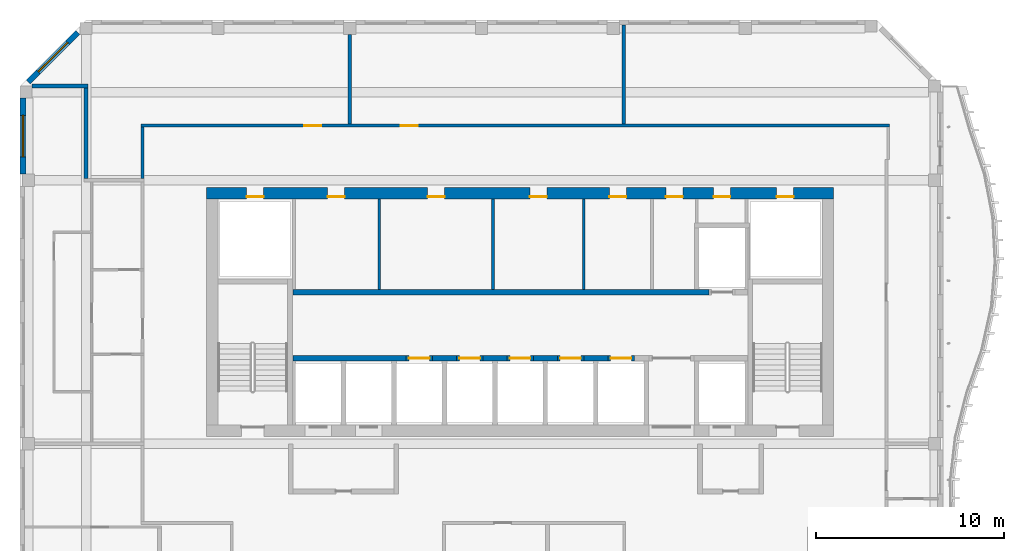
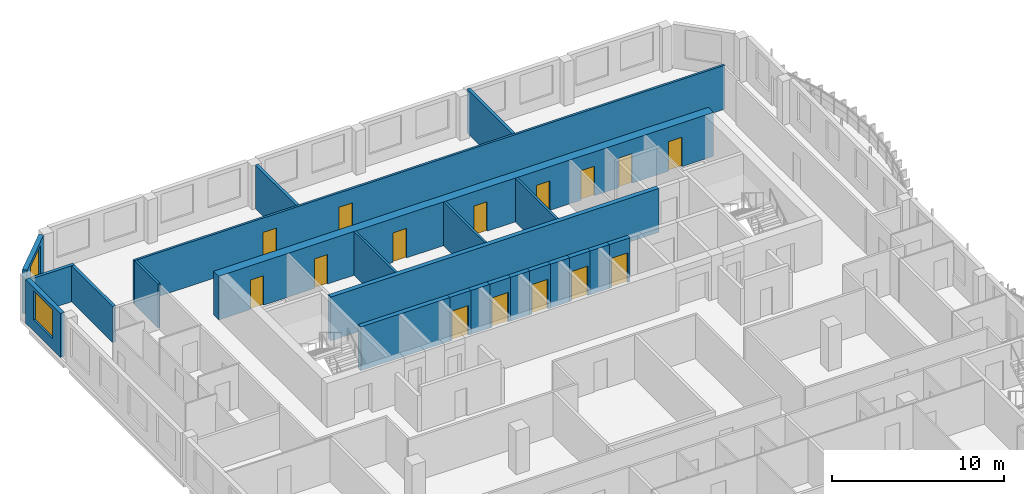
# One storey, part 7 of 17: 23 walls, 15 doors, 2 windows, 17 openings.
"""IFC4 building model written with IfcOpenShell, lengths in metres."""

from ifc_helpers import new_model, si_unit, direction, frame, frame_2d, origin, place, context, subcontext, project, spatial, rectangle, extrude, source, transform, mapped, material, layer, layer_set, type_object, element, fill, save


model = new_model("IFC4")

# Units and contexts
model_context = context("Model", 3, precision=1e-05, world=origin(), true_north=direction((0.0, 1.0)))
body_context = subcontext(model_context, "Body", "Model", "MODEL_VIEW")
ifc_project = project(units=[si_unit("LENGTHUNIT", "METRE"), si_unit("AREAUNIT", "SQUARE_METRE"), si_unit("VOLUMEUNIT", "CUBIC_METRE"), si_unit("PLANEANGLEUNIT", "RADIAN"), si_unit("MASSUNIT", "GRAM", prefix="KILO")], contexts=[model_context])

# Site, building, storey
site_placement = place(None, origin())
site = spatial("IfcSite", under=ifc_project, at=site_placement, CompositionType="ELEMENT")
building_placement = place(site_placement, origin())
building = spatial("IfcBuilding", under=site, at=building_placement, Name="Kilnfold Tower and Market Hall", CompositionType="ELEMENT")
storey_placement = place(building_placement, frame((0.0, 0.0, 273.800048828125)))
storey = spatial("IfcBuildingStorey", under=building, at=storey_placement, Name="L67", CompositionType="ELEMENT", Elevation=273.800048828125)

# Wall
ifc_material_1 = material(Name="Gypsum board on steel studs", Category="steel")
ifc_layer_1 = layer(ifc_material_1, 0.14990234375)
ifc_layer_set_1 = layer_set([ifc_layer_1], Name="Gypsum board on steel studs")
wall_type_1 = type_object("IfcWallType", Name="WALL CORRIDOR 150", PredefinedType="PARTITIONING", material=ifc_layer_set_1)
wall_1_placement = place(storey_placement, frame((-19.0, 22.090087890625, 0.0), z_axis=(0.0, 0.0, 1.0), x_axis=(0.0, 1.0, 0.0)))
element("IfcWall", 1, at=wall_1_placement, inside=storey, type_object=wall_type_1, Name="Partition LY41.22", PredefinedType="PARTITIONING", context=body_context, shape_type="SweptSolid", body=[
    extrude(rectangle(XDim=2.73486328125, YDim=0.14990234375, at=frame_2d((1.367431640625, 0.0))), origin(), (0.0, 0.0, 1.0), 3.119873046875),
])

# Wall, openings, doors
wall_2_placement = place(storey_placement, frame((-19.074951171875, 24.89990234375, 0.0), z_axis=(0.0, 0.0, 1.0), x_axis=(1.0, 0.0, 0.0)))
wall_2 = element("IfcWall", 2, at=wall_2_placement, inside=storey, type_object=wall_type_1, Name="Partition LY41.23", PredefinedType="PARTITIONING", context=body_context, shape_type="SweptSolid", body=[
    extrude(rectangle(XDim=39.75, YDim=0.14990234375, at=frame_2d((19.875, 0.0))), origin(), (0.0, 0.0, 1.0), 3.119873046875),
])
opening_1_placement = place(wall_2_placement, frame((8.674072265625, 0.0, 0.0)))
opening_1 = element("IfcOpeningElement", 3, at=opening_1_placement, cuts=wall_2, Name="Opening D2", PredefinedType="OPENING", context=body_context, shape_type="SweptSolid", body=[
    extrude(rectangle(XDim=0.89990234375, YDim=2.10009765625, at=frame_2d((0.449951171875, 1.050048828125))), frame((0.0, 0.0849609375, 0.0), z_axis=(0.0, -1.0, 0.0), x_axis=(1.0, 0.0, 0.0)), (0.0, 0.0, 1.0), 0.169921875),
])
opening_2_placement = place(wall_2_placement, frame((13.778076171875, 0.0, 0.0)))
opening_2 = element("IfcOpeningElement", 4, at=opening_2_placement, cuts=wall_2, Name="Opening D2", PredefinedType="OPENING", context=body_context, shape_type="SweptSolid", body=[
    extrude(rectangle(XDim=0.89990234375, YDim=2.10009765625, at=frame_2d((0.449951171875, 1.050048828125))), frame((0.0, 0.0849609375, 0.0), z_axis=(0.0, -1.0, 0.0), x_axis=(1.0, 0.0, 0.0)), (0.0, 0.0, 1.0), 0.169921875),
])
ifc_material_2 = material(Name="Timber veneer door leaf in steel frame", Category="steel")
door_type_1 = type_object("IfcDoorType", Name="DOOR ROOM 900 X2100", OperationType="NOTDEFINED", PredefinedType="DOOR", material=ifc_material_2)
door_1_placement = place(opening_1_placement, origin())
door_1 = element("IfcDoor", 5, at=door_1_placement, inside=storey, type_object=door_type_1, Name="Door D2", OperationType="SINGLE_SWING_RIGHT", OverallHeight=2.10009765625, OverallWidth=0.89990234375, PredefinedType="DOOR", context=body_context, shape_type="SweptSolid", body=[
    extrude(rectangle(XDim=0.89990234375, YDim=2.10009765625, at=frame_2d((0.449951171875, 1.050048828125))), frame((0.0, 0.02490234375, 0.0), z_axis=(0.0, -1.0, 0.0), x_axis=(1.0, 0.0, 0.0)), (0.0, 0.0, 1.0), 0.050048828125),
])
fill(opening_1, door_1)
door_2_placement = place(opening_2_placement, origin())
door_2 = element("IfcDoor", 6, at=door_2_placement, inside=storey, type_object=door_type_1, Name="Door D2", OperationType="SINGLE_SWING_RIGHT", OverallHeight=2.10009765625, OverallWidth=0.89990234375, PredefinedType="DOOR", context=body_context, shape_type="SweptSolid", body=[
    extrude(rectangle(XDim=0.89990234375, YDim=2.10009765625, at=frame_2d((0.449951171875, 1.050048828125))), frame((0.0, 0.02490234375, 0.0), z_axis=(0.0, -1.0, 0.0), x_axis=(1.0, 0.0, 0.0)), (0.0, 0.0, 1.0), 0.050048828125),
])
fill(opening_2, door_2)

# Walls
ifc_material_3 = material(Name="Gypsum board on steel studs", Category="steel")
ifc_layer_2 = layer(ifc_material_3, 0.199951171875)
ifc_layer_set_2 = layer_set([ifc_layer_2], Name="Gypsum board on steel studs")
wall_type_2 = type_object("IfcWallType", Name="WALL PARTY 200", PredefinedType="PARTITIONING", material=ifc_layer_set_2)
wall_3_placement = place(storey_placement, frame((6.550048828125, 24.97705078125, 0.0), z_axis=(0.0, 0.0, 1.0), x_axis=(0.0, 1.0, 0.0)))
element("IfcWall", 7, at=wall_3_placement, inside=storey, type_object=wall_type_2, Name="Partition LY41.80", PredefinedType="PARTITIONING", context=body_context, shape_type="SweptSolid", body=[
    extrude(rectangle(XDim=5.27294921875, YDim=0.199951171875, at=frame_2d((2.636474609375, 0.0))), origin(), (0.0, 0.0, 1.0), 3.119873046875),
])
wall_4_placement = place(storey_placement, frame((-8.0, 29.72509765625, 0.0), z_axis=(0.0, 0.0, 1.0), x_axis=(0.0, -1.0, 0.0)))
element("IfcWall", 8, at=wall_4_placement, inside=storey, type_object=wall_type_2, Name="Partition LY41.81", PredefinedType="PARTITIONING", context=body_context, shape_type="SweptSolid", body=[
    extrude(rectangle(XDim=4.748046875, YDim=0.199951171875, at=frame_2d((2.3740234375, 0.0))), origin(), (0.0, 0.0, 1.0), 3.119873046875),
])
wall_5_placement = place(storey_placement, frame((-22.0, 22.10009765625, 0.0), z_axis=(0.0, 0.0, 1.0), x_axis=(0.0, 1.0, 0.0)))
element("IfcWall", 9, at=wall_5_placement, inside=storey, type_object=wall_type_2, Name="Partition LY41.82", PredefinedType="PARTITIONING", context=body_context, shape_type="SweptSolid", body=[
    extrude(rectangle(XDim=4.7998046875, YDim=0.199951171875, at=frame_2d((2.39990234375, 0.0))), origin(), (0.0, 0.0, 1.0), 2.570068359375),
])
wall_6_placement = place(storey_placement, frame((-24.85693359375, 27.0, 0.0), z_axis=(0.0, 0.0, 1.0), x_axis=(1.0, 0.0, 0.0)))
element("IfcWall", 10, at=wall_6_placement, inside=storey, type_object=wall_type_2, Name="Partition LY41.83", PredefinedType="PARTITIONING", context=body_context, shape_type="SweptSolid", body=[
    extrude(rectangle(XDim=2.95703125, YDim=0.199951171875, at=frame_2d((1.478515625, 0.0))), origin(), (0.0, 0.0, 1.0), 2.570068359375),
])
ifc_material_4 = material(Name="Concrete C50", Category="concrete")
ifc_layer_3 = layer(ifc_material_4, 0.300048828125)
ifc_layer_set_3 = layer_set([ifc_layer_3], Name="Concrete C50")
wall_type_3 = type_object("IfcWallType", Name="CORE WALL 300 C50", PredefinedType="SHEAR", material=ifc_layer_set_3)
shared_shape_1 = source(origin(), body_context, "Body", "SweptSolid", [
    extrude(rectangle(XDim=6.0, YDim=0.300048828125, at=frame_2d((3.0, 0.0))), origin(), (0.0, 0.0, 1.0), 3.119873046875),
])
wall_7_placement = place(storey_placement, frame((-11.010009765625, 12.550048828125, 0.0), z_axis=(0.0, 0.0, 1.0), x_axis=(1.0, 0.0, 0.0)))
element("IfcWall", 11, at=wall_7_placement, inside=storey, type_object=wall_type_3, Name="Core spine wall", PredefinedType="SHEAR", context=body_context, shape_type="MappedRepresentation", body=[
    mapped(shared_shape_1, transform((0.0, 0.0, 0.0))),
])
shared_shape_2 = source(origin(), body_context, "Body", "SweptSolid", [
    extrude(rectangle(XDim=1.280029296875, YDim=0.300048828125, at=frame_2d((0.64013671875, 0.0))), origin(), (0.0, 0.0, 1.0), 3.119873046875),
])
for number, where, z_axis, x_axis, name in (
    (12, (-3.610107421875, 12.550048828125, 0.0), (0.0, 0.0, 1.0), (1.0, 0.0, 0.0), "Core spine wall"),
    (13, (-0.929931640625, 12.550048828125, 0.0), (0.0, 0.0, 1.0), (1.0, 0.0, 0.0), "Core spine wall"),
    (14, (1.75, 12.550048828125, 0.0), (0.0, 0.0, 1.0), (1.0, 0.0, 0.0), "Core spine wall"),
    (15, (4.429931640625, 12.550048828125, 0.0), (0.0, 0.0, 1.0), (1.0, 0.0, 0.0), "Core spine wall"),
):
    element("IfcWall", number, at=place(storey_placement, frame(where, z_axis=z_axis, x_axis=x_axis)), inside=storey, type_object=wall_type_3, Name=name, PredefinedType="SHEAR", context=body_context, shape_type="MappedRepresentation", body=[
        mapped(shared_shape_2, transform((0.0, 0.0, 0.0))),
    ])
shared_shape_3 = source(origin(), body_context, "Body", "SweptSolid", [
    extrude(rectangle(XDim=22.080078125, YDim=0.300048828125, at=frame_2d((11.0400390625, 0.0))), origin(), (0.0, 0.0, 1.0), 3.119873046875),
])
wall_8_placement = place(storey_placement, frame((-11.010009765625, 16.050048828125, 0.0), z_axis=(0.0, 0.0, 1.0), x_axis=(1.0, 0.0, 0.0)))
element("IfcWall", 16, at=wall_8_placement, inside=storey, type_object=wall_type_3, Name="Core spine wall", PredefinedType="SHEAR", context=body_context, shape_type="MappedRepresentation", body=[
    mapped(shared_shape_3, transform((0.0, 0.0, 0.0))),
])

# Wall, openings, doors
ifc_material_5 = material(Name="Concrete C50", Category="concrete")
ifc_layer_4 = layer(ifc_material_5, 0.60009765625)
ifc_layer_set_4 = layer_set([ifc_layer_4], Name="Concrete C50")
wall_type_4 = type_object("IfcWallType", Name="CORE WALL 600 C50", PredefinedType="SHEAR", material=ifc_layer_set_4)
shared_shape_4 = source(origin(), body_context, "Body", "SweptSolid", [
    extrude(rectangle(XDim=33.300048828125, YDim=0.60009765625, at=frame_2d((16.64990234375, 0.0))), origin(), (0.0, 0.0, 1.0), 3.119873046875),
])
wall_9_placement = place(storey_placement, frame((-15.60009765625, 21.300048828125, 0.0), z_axis=(0.0, 0.0, 1.0), x_axis=(1.0, 0.0, 0.0)))
wall_9 = element("IfcWall", 17, at=wall_9_placement, inside=storey, type_object=wall_type_4, Name="Core outer wall north", PredefinedType="SHEAR", context=body_context, shape_type="MappedRepresentation", body=[
    mapped(shared_shape_4, transform((0.0, 0.0, 0.0))),
])
opening_3_placement = place(wall_9_placement, frame((6.431396484375, 0.0, 0.0)))
opening_3 = element("IfcOpeningElement", 18, at=opening_3_placement, cuts=wall_9, Name="Opening KD1", PredefinedType="OPENING", context=body_context, shape_type="SweptSolid", body=[
    extrude(rectangle(XDim=0.89990234375, YDim=2.10009765625, at=frame_2d((0.449951171875, 1.050048828125))), frame((0.0, 0.31005859375, 0.0), z_axis=(0.0, -1.0, 0.0), x_axis=(1.0, 0.0, 0.0)), (0.0, 0.0, 1.0), 0.6201171875),
])
opening_4_placement = place(wall_9_placement, frame((11.73779296875, 0.0, 0.0)))
opening_4 = element("IfcOpeningElement", 19, at=opening_4_placement, cuts=wall_9, Name="Opening KD1", PredefinedType="OPENING", context=body_context, shape_type="SweptSolid", body=[
    extrude(rectangle(XDim=0.89990234375, YDim=2.10009765625, at=frame_2d((0.449951171875, 1.050048828125))), frame((0.0, 0.31005859375, 0.0), z_axis=(0.0, -1.0, 0.0), x_axis=(1.0, 0.0, 0.0)), (0.0, 0.0, 1.0), 0.6201171875),
])
opening_5_placement = place(wall_9_placement, frame((17.164794921875, 0.0, 0.0)))
opening_5 = element("IfcOpeningElement", 20, at=opening_5_placement, cuts=wall_9, Name="Opening KD1", PredefinedType="OPENING", context=body_context, shape_type="SweptSolid", body=[
    extrude(rectangle(XDim=0.89990234375, YDim=2.10009765625, at=frame_2d((0.449951171875, 1.050048828125))), frame((0.0, 0.31005859375, 0.0), z_axis=(0.0, -1.0, 0.0), x_axis=(1.0, 0.0, 0.0)), (0.0, 0.0, 1.0), 0.6201171875),
])
opening_6_placement = place(wall_9_placement, frame((21.3857421875, 0.0, 0.0)))
opening_6 = element("IfcOpeningElement", 21, at=opening_6_placement, cuts=wall_9, Name="Opening KD1", PredefinedType="OPENING", context=body_context, shape_type="SweptSolid", body=[
    extrude(rectangle(XDim=0.89990234375, YDim=2.10009765625, at=frame_2d((0.449951171875, 1.050048828125))), frame((0.0, 0.31005859375, 0.0), z_axis=(0.0, -1.0, 0.0), x_axis=(1.0, 0.0, 0.0)), (0.0, 0.0, 1.0), 0.6201171875),
])
opening_7_placement = place(wall_9_placement, frame((24.387451171875, 0.0, 0.0)))
opening_7 = element("IfcOpeningElement", 22, at=opening_7_placement, cuts=wall_9, Name="Opening KD1", PredefinedType="OPENING", context=body_context, shape_type="SweptSolid", body=[
    extrude(rectangle(XDim=0.89990234375, YDim=2.10009765625, at=frame_2d((0.449951171875, 1.050048828125))), frame((0.0, 0.31005859375, 0.0), z_axis=(0.0, -1.0, 0.0), x_axis=(1.0, 0.0, 0.0)), (0.0, 0.0, 1.0), 0.6201171875),
])
opening_8_placement = place(wall_9_placement, frame((26.919921875, 0.0, 0.0)))
opening_8 = element("IfcOpeningElement", 23, at=opening_8_placement, cuts=wall_9, Name="Opening KD1", PredefinedType="OPENING", context=body_context, shape_type="SweptSolid", body=[
    extrude(rectangle(XDim=0.89990234375, YDim=2.10009765625, at=frame_2d((0.449951171875, 1.050048828125))), frame((0.0, 0.31005859375, 0.0), z_axis=(0.0, -1.0, 0.0), x_axis=(1.0, 0.0, 0.0)), (0.0, 0.0, 1.0), 0.6201171875),
])
opening_9_placement = place(wall_9_placement, frame((2.125, 0.0, 0.0)))
opening_9 = element("IfcOpeningElement", 24, at=opening_9_placement, cuts=wall_9, Name="Opening KD1", PredefinedType="OPENING", context=body_context, shape_type="SweptSolid", body=[
    extrude(rectangle(XDim=0.89990234375, YDim=2.10009765625, at=frame_2d((0.449951171875, 1.050048828125))), frame((0.0, 0.31005859375, 0.0), z_axis=(0.0, -1.0, 0.0), x_axis=(1.0, 0.0, 0.0)), (0.0, 0.0, 1.0), 0.6201171875),
])
opening_10_placement = place(wall_9_placement, frame((30.27490234375, 0.0, 0.0)))
opening_10 = element("IfcOpeningElement", 25, at=opening_10_placement, cuts=wall_9, Name="Opening KD1", PredefinedType="OPENING", context=body_context, shape_type="SweptSolid", body=[
    extrude(rectangle(XDim=0.89990234375, YDim=2.10009765625, at=frame_2d((0.449951171875, 1.050048828125))), frame((0.0, 0.31005859375, 0.0), z_axis=(0.0, -1.0, 0.0), x_axis=(1.0, 0.0, 0.0)), (0.0, 0.0, 1.0), 0.6201171875),
])
ifc_material_6 = material(Name="Steel door set with fire-resisting leaf", Category="steel")
door_type_2 = type_object("IfcDoorType", Name="SERVICE DOOR 900X2100", OperationType="NOTDEFINED", PredefinedType="DOOR", material=ifc_material_6)
door_3_placement = place(opening_3_placement, origin())
door_3 = element("IfcDoor", 26, at=door_3_placement, inside=storey, type_object=door_type_2, Name="Core service door", OperationType="SINGLE_SWING_RIGHT", OverallHeight=2.10009765625, OverallWidth=0.89990234375, PredefinedType="DOOR", context=body_context, shape_type="SweptSolid", body=[
    extrude(rectangle(XDim=0.89990234375, YDim=2.10009765625, at=frame_2d((0.449951171875, 1.050048828125))), frame((0.0, -0.15478515625, 0.0), z_axis=(0.0, -1.0, 0.0), x_axis=(1.0, 0.0, 0.0)), (0.0, 0.0, 1.0), 0.050048828125),
])
fill(opening_3, door_3)
door_4_placement = place(opening_4_placement, origin())
door_4 = element("IfcDoor", 27, at=door_4_placement, inside=storey, type_object=door_type_2, Name="Core service door", OperationType="SINGLE_SWING_LEFT", OverallHeight=2.10009765625, OverallWidth=0.89990234375, PredefinedType="DOOR", context=body_context, shape_type="SweptSolid", body=[
    extrude(rectangle(XDim=0.89990234375, YDim=2.10009765625, at=frame_2d((0.449951171875, 1.050048828125))), frame((0.0, -0.15478515625, 0.0), z_axis=(0.0, -1.0, 0.0), x_axis=(1.0, 0.0, 0.0)), (0.0, 0.0, 1.0), 0.050048828125),
])
fill(opening_4, door_4)
door_5_placement = place(opening_5_placement, origin())
door_5 = element("IfcDoor", 28, at=door_5_placement, inside=storey, type_object=door_type_2, Name="Core service door", OperationType="SINGLE_SWING_RIGHT", OverallHeight=2.10009765625, OverallWidth=0.89990234375, PredefinedType="DOOR", context=body_context, shape_type="SweptSolid", body=[
    extrude(rectangle(XDim=0.89990234375, YDim=2.10009765625, at=frame_2d((0.449951171875, 1.050048828125))), frame((0.0, -0.15478515625, 0.0), z_axis=(0.0, -1.0, 0.0), x_axis=(1.0, 0.0, 0.0)), (0.0, 0.0, 1.0), 0.050048828125),
])
fill(opening_5, door_5)
door_6_placement = place(opening_6_placement, origin())
door_6 = element("IfcDoor", 29, at=door_6_placement, inside=storey, type_object=door_type_2, Name="Core service door", OperationType="SINGLE_SWING_LEFT", OverallHeight=2.10009765625, OverallWidth=0.89990234375, PredefinedType="DOOR", context=body_context, shape_type="SweptSolid", body=[
    extrude(rectangle(XDim=0.89990234375, YDim=2.10009765625, at=frame_2d((0.449951171875, 1.050048828125))), frame((0.0, -0.15478515625, 0.0), z_axis=(0.0, -1.0, 0.0), x_axis=(1.0, 0.0, 0.0)), (0.0, 0.0, 1.0), 0.050048828125),
])
fill(opening_6, door_6)
door_7_placement = place(opening_7_placement, origin())
door_7 = element("IfcDoor", 30, at=door_7_placement, inside=storey, type_object=door_type_2, Name="Core service door", OperationType="SINGLE_SWING_RIGHT", OverallHeight=2.10009765625, OverallWidth=0.89990234375, PredefinedType="DOOR", context=body_context, shape_type="SweptSolid", body=[
    extrude(rectangle(XDim=0.89990234375, YDim=2.10009765625, at=frame_2d((0.449951171875, 1.050048828125))), frame((0.0, -0.15478515625, 0.0), z_axis=(0.0, -1.0, 0.0), x_axis=(1.0, 0.0, 0.0)), (0.0, 0.0, 1.0), 0.050048828125),
])
fill(opening_7, door_7)
door_8_placement = place(opening_8_placement, origin())
door_8 = element("IfcDoor", 31, at=door_8_placement, inside=storey, type_object=door_type_2, Name="Core service door", OperationType="SINGLE_SWING_LEFT", OverallHeight=2.10009765625, OverallWidth=0.89990234375, PredefinedType="DOOR", context=body_context, shape_type="SweptSolid", body=[
    extrude(rectangle(XDim=0.89990234375, YDim=2.10009765625, at=frame_2d((0.449951171875, 1.050048828125))), frame((0.0, -0.15478515625, 0.0), z_axis=(0.0, -1.0, 0.0), x_axis=(1.0, 0.0, 0.0)), (0.0, 0.0, 1.0), 0.050048828125),
])
fill(opening_8, door_8)
door_9_placement = place(opening_9_placement, origin())
door_9 = element("IfcDoor", 32, at=door_9_placement, inside=storey, type_object=door_type_2, Name="Electrical riser access door", OperationType="SINGLE_SWING_RIGHT", OverallHeight=2.10009765625, OverallWidth=0.89990234375, PredefinedType="DOOR", context=body_context, shape_type="SweptSolid", body=[
    extrude(rectangle(XDim=0.89990234375, YDim=2.10009765625, at=frame_2d((0.449951171875, 1.050048828125))), frame((0.0, -0.15478515625, 0.0), z_axis=(0.0, -1.0, 0.0), x_axis=(1.0, 0.0, 0.0)), (0.0, 0.0, 1.0), 0.050048828125),
])
fill(opening_9, door_9)
door_10_placement = place(opening_10_placement, origin())
door_10 = element("IfcDoor", 33, at=door_10_placement, inside=storey, type_object=door_type_2, Name="Mechanical riser access door", OperationType="SINGLE_SWING_LEFT", OverallHeight=2.10009765625, OverallWidth=0.89990234375, PredefinedType="DOOR", context=body_context, shape_type="SweptSolid", body=[
    extrude(rectangle(XDim=0.89990234375, YDim=2.10009765625, at=frame_2d((0.449951171875, 1.050048828125))), frame((0.0, -0.15478515625, 0.0), z_axis=(0.0, -1.0, 0.0), x_axis=(1.0, 0.0, 0.0)), (0.0, 0.0, 1.0), 0.050048828125),
])
fill(opening_10, door_10)

# Wall, opening, window
ifc_material_7 = material(Name="Precast concrete C50/60", Category="concrete")
ifc_layer_5 = layer(ifc_material_7, 0.300048828125)
ifc_layer_set_5 = layer_set([ifc_layer_5], Name="Precast concrete C50/60")
wall_type_5 = type_object("IfcWallType", Name="PRECAST WALL 300", PredefinedType="SOLIDWALL", material=ifc_layer_set_5)
shared_shape_5 = source(origin(), body_context, "Body", "SweptSolid", [
    extrude(rectangle(XDim=3.71240234375, YDim=0.300048828125, at=frame_2d((1.856201171875, 0.0))), origin(), (0.0, 0.0, 1.0), 3.119873046875),
])
wall_10_placement = place(storey_placement, frame((-22.44384765625, 29.843994140625, 0.0), z_axis=(0.0, 0.0, 1.0), x_axis=(-0.707106781187, -0.707106781187, 0.0)))
wall_10 = element("IfcWall", 34, at=wall_10_placement, inside=storey, type_object=wall_type_5, Name="External wall L67 NW", PredefinedType="SOLIDWALL", context=body_context, shape_type="MappedRepresentation", body=[
    mapped(shared_shape_5, transform((0.0, 0.0, 0.0))),
])
opening_11_placement = place(wall_10_placement, frame((0.756103515625, 0.0, 0.800048828125)))
opening_11 = element("IfcOpeningElement", 35, at=opening_11_placement, cuts=wall_10, Name="Opening W3", PredefinedType="OPENING", context=body_context, shape_type="SweptSolid", body=[
    extrude(rectangle(XDim=2.199951171875, YDim=2.050048828125, at=frame_2d((1.10009765625, 1.02490234375))), frame((0.0, 0.16015625, 0.0), z_axis=(0.0, -1.0, 0.0), x_axis=(1.0, 0.0, 0.0)), (0.0, 0.0, 1.0), 0.320068359375),
])
ifc_material_8 = material(Name="Aluminium frame and double glazing", Category="aluminium")
window_type = type_object("IfcWindowType", Name="WINDOW W3 2200X2050", PartitioningType="SINGLE_PANEL", PredefinedType="WINDOW", material=ifc_material_8)
window_1_placement = place(opening_11_placement, origin())
window_1 = element("IfcWindow", 36, at=window_1_placement, inside=storey, type_object=window_type, Name="Window W3 L67 NW-1", OverallHeight=2.050048828125, OverallWidth=2.199951171875, PartitioningType="SINGLE_PANEL", PredefinedType="WINDOW", context=body_context, shape_type="SweptSolid", body=[
    extrude(rectangle(XDim=2.199951171875, YDim=2.050048828125, at=frame_2d((1.10009765625, 1.02490234375))), frame((0.0, 0.030029296875, 0.0), z_axis=(0.0, -1.0, 0.0), x_axis=(1.0, 0.0, 0.0)), (0.0, 0.0, 1.0), 0.06005859375),
])
fill(opening_11, window_1)

shared_shape_6 = source(origin(), body_context, "Body", "SweptSolid", [
    extrude(rectangle(XDim=4.03173828125, YDim=0.300048828125, at=frame_2d((2.015869140625, 0.0))), origin(), (0.0, 0.0, 1.0), 3.119873046875),
])
wall_11_placement = place(storey_placement, frame((-25.35009765625, 26.356689453125, 0.0), z_axis=(0.0, 0.0, 1.0), x_axis=(0.0, -1.0, 0.0)))
wall_11 = element("IfcWall", 37, at=wall_11_placement, inside=storey, type_object=wall_type_5, Name="External wall L67 W", PredefinedType="SOLIDWALL", context=body_context, shape_type="MappedRepresentation", body=[
    mapped(shared_shape_6, transform((0.0, 0.0, 0.0))),
])
opening_12_placement = place(wall_11_placement, frame((0.916015625, 0.0, 0.800048828125)))
opening_12 = element("IfcOpeningElement", 38, at=opening_12_placement, cuts=wall_11, Name="Opening W3", PredefinedType="OPENING", context=body_context, shape_type="SweptSolid", body=[
    extrude(rectangle(XDim=2.199951171875, YDim=2.050048828125, at=frame_2d((1.10009765625, 1.02490234375))), frame((0.0, 0.16015625, 0.0), z_axis=(0.0, -1.0, 0.0), x_axis=(1.0, 0.0, 0.0)), (0.0, 0.0, 1.0), 0.320068359375),
])
window_2_placement = place(opening_12_placement, origin())
window_2 = element("IfcWindow", 39, at=window_2_placement, inside=storey, type_object=window_type, Name="Window W3 L67 W-1", OverallHeight=2.050048828125, OverallWidth=2.199951171875, PartitioningType="SINGLE_PANEL", PredefinedType="WINDOW", context=body_context, shape_type="SweptSolid", body=[
    extrude(rectangle(XDim=2.199951171875, YDim=2.050048828125, at=frame_2d((1.10009765625, 1.02490234375))), frame((0.0, 0.030029296875, 0.0), z_axis=(0.0, -1.0, 0.0), x_axis=(1.0, 0.0, 0.0)), (0.0, 0.0, 1.0), 0.06005859375),
])
fill(opening_12, window_2)

# Wall, opening, door
ifc_material_9 = material(Name="Gypsum shaft wall system")
ifc_layer_6 = layer(ifc_material_9, 0.300048828125)
ifc_layer_set_6 = layer_set([ifc_layer_6], Name="Gypsum shaft wall system")
wall_type_6 = type_object("IfcWallType", Name="SHAFT WALL 300", PredefinedType="PARTITIONING", material=ifc_layer_set_6)
shared_shape_7 = source(origin(), body_context, "Body", "SweptSolid", [
    extrude(rectangle(XDim=1.39990234375, YDim=0.300048828125, at=frame_2d((0.699951171875, 0.0))), origin(), (0.0, 0.0, 1.0), 3.119873046875),
])
wall_12_placement = place(storey_placement, frame((-5.010009765625, 12.550048828125, 0.0), z_axis=(0.0, 0.0, 1.0), x_axis=(1.0, 0.0, 0.0)))
wall_12 = element("IfcWall", 40, at=wall_12_placement, inside=storey, type_object=wall_type_6, Name="Lift shaft front wall", PredefinedType="PARTITIONING", context=body_context, shape_type="MappedRepresentation", body=[
    mapped(shared_shape_7, transform((0.0, 0.0, 0.0))),
])
opening_13_placement = place(wall_12_placement, frame((0.14990234375, 0.0, 0.0)))
opening_13 = element("IfcOpeningElement", 41, at=opening_13_placement, cuts=wall_12, Name="Opening LD2", PredefinedType="OPENING", context=body_context, shape_type="SweptSolid", body=[
    extrude(rectangle(XDim=1.10009765625, YDim=2.10009765625, at=frame_2d((0.550048828125, 1.050048828125))), frame((0.0, 0.16015625, 0.0), z_axis=(0.0, -1.0, 0.0), x_axis=(1.0, 0.0, 0.0)), (0.0, 0.0, 1.0), 0.320068359375),
])
ifc_material_10 = material(Name="Steel door set with fire-resisting leaf", Category="steel")
door_type_3 = type_object("IfcDoorType", Name="LANDING DOOR 1100X2100", OperationType="NOTDEFINED", PredefinedType="DOOR", material=ifc_material_10)
door_11_placement = place(opening_13_placement, origin())
door_11 = element("IfcDoor", 42, at=door_11_placement, inside=storey, type_object=door_type_3, Name="Landing door HR1", OperationType="DOUBLE_DOOR_SLIDING", OverallHeight=2.10009765625, OverallWidth=1.10009765625, PredefinedType="DOOR", context=body_context, shape_type="SweptSolid", body=[
    extrude(rectangle(XDim=1.10009765625, YDim=2.10009765625, at=frame_2d((0.550048828125, 1.050048828125))), frame((0.0, 0.02490234375, 0.0), z_axis=(0.0, -1.0, 0.0), x_axis=(1.0, 0.0, 0.0)), (0.0, 0.0, 1.0), 0.050048828125),
])
fill(opening_13, door_11)

wall_13_placement = place(storey_placement, frame((0.35009765625, 12.550048828125, 0.0), z_axis=(0.0, 0.0, 1.0), x_axis=(1.0, 0.0, 0.0)))
wall_13 = element("IfcWall", 43, at=wall_13_placement, inside=storey, type_object=wall_type_6, Name="Lift shaft front wall", PredefinedType="PARTITIONING", context=body_context, shape_type="MappedRepresentation", body=[
    mapped(shared_shape_7, transform((0.0, 0.0, 0.0))),
])
opening_14_placement = place(wall_13_placement, frame((0.14990234375, 0.0, 0.0)))
opening_14 = element("IfcOpeningElement", 44, at=opening_14_placement, cuts=wall_13, Name="Opening LD2", PredefinedType="OPENING", context=body_context, shape_type="SweptSolid", body=[
    extrude(rectangle(XDim=1.10009765625, YDim=2.10009765625, at=frame_2d((0.550048828125, 1.050048828125))), frame((0.0, 0.16015625, 0.0), z_axis=(0.0, -1.0, 0.0), x_axis=(1.0, 0.0, 0.0)), (0.0, 0.0, 1.0), 0.320068359375),
])
door_12_placement = place(opening_14_placement, origin())
door_12 = element("IfcDoor", 45, at=door_12_placement, inside=storey, type_object=door_type_3, Name="Landing door HR3", OperationType="DOUBLE_DOOR_SLIDING", OverallHeight=2.10009765625, OverallWidth=1.10009765625, PredefinedType="DOOR", context=body_context, shape_type="SweptSolid", body=[
    extrude(rectangle(XDim=1.10009765625, YDim=2.10009765625, at=frame_2d((0.550048828125, 1.050048828125))), frame((0.0, 0.02490234375, 0.0), z_axis=(0.0, -1.0, 0.0), x_axis=(1.0, 0.0, 0.0)), (0.0, 0.0, 1.0), 0.050048828125),
])
fill(opening_14, door_12)

wall_14_placement = place(storey_placement, frame((3.030029296875, 12.550048828125, 0.0), z_axis=(0.0, 0.0, 1.0), x_axis=(1.0, 0.0, 0.0)))
wall_14 = element("IfcWall", 46, at=wall_14_placement, inside=storey, type_object=wall_type_6, Name="Lift shaft front wall", PredefinedType="PARTITIONING", context=body_context, shape_type="MappedRepresentation", body=[
    mapped(shared_shape_7, transform((0.0, 0.0, 0.0))),
])
opening_15_placement = place(wall_14_placement, frame((0.14990234375, 0.0, 0.0)))
opening_15 = element("IfcOpeningElement", 47, at=opening_15_placement, cuts=wall_14, Name="Opening LD2", PredefinedType="OPENING", context=body_context, shape_type="SweptSolid", body=[
    extrude(rectangle(XDim=1.10009765625, YDim=2.10009765625, at=frame_2d((0.550048828125, 1.050048828125))), frame((0.0, 0.16015625, 0.0), z_axis=(0.0, -1.0, 0.0), x_axis=(1.0, 0.0, 0.0)), (0.0, 0.0, 1.0), 0.320068359375),
])
door_13_placement = place(opening_15_placement, origin())
door_13 = element("IfcDoor", 48, at=door_13_placement, inside=storey, type_object=door_type_3, Name="Landing door HR4", OperationType="DOUBLE_DOOR_SLIDING", OverallHeight=2.10009765625, OverallWidth=1.10009765625, PredefinedType="DOOR", context=body_context, shape_type="SweptSolid", body=[
    extrude(rectangle(XDim=1.10009765625, YDim=2.10009765625, at=frame_2d((0.550048828125, 1.050048828125))), frame((0.0, 0.02490234375, 0.0), z_axis=(0.0, -1.0, 0.0), x_axis=(1.0, 0.0, 0.0)), (0.0, 0.0, 1.0), 0.050048828125),
])
fill(opening_15, door_13)

shared_shape_8 = source(origin(), body_context, "Body", "SweptSolid", [
    extrude(rectangle(XDim=1.400146484375, YDim=0.300048828125, at=frame_2d((0.7001953125, 0.0))), origin(), (0.0, 0.0, 1.0), 3.119873046875),
])
wall_15_placement = place(storey_placement, frame((-2.330078125, 12.550048828125, 0.0), z_axis=(0.0, 0.0, 1.0), x_axis=(1.0, 0.0, 0.0)))
wall_15 = element("IfcWall", 49, at=wall_15_placement, inside=storey, type_object=wall_type_6, Name="Lift shaft front wall", PredefinedType="PARTITIONING", context=body_context, shape_type="MappedRepresentation", body=[
    mapped(shared_shape_8, transform((0.0, 0.0, 0.0))),
])
opening_16_placement = place(wall_15_placement, frame((0.14990234375, 0.0, 0.0)))
opening_16 = element("IfcOpeningElement", 50, at=opening_16_placement, cuts=wall_15, Name="Opening LD2", PredefinedType="OPENING", context=body_context, shape_type="SweptSolid", body=[
    extrude(rectangle(XDim=1.10009765625, YDim=2.10009765625, at=frame_2d((0.550048828125, 1.050048828125))), frame((0.0, 0.16015625, 0.0), z_axis=(0.0, -1.0, 0.0), x_axis=(1.0, 0.0, 0.0)), (0.0, 0.0, 1.0), 0.320068359375),
])
door_14_placement = place(opening_16_placement, origin())
door_14 = element("IfcDoor", 51, at=door_14_placement, inside=storey, type_object=door_type_3, Name="Landing door HR2", OperationType="DOUBLE_DOOR_SLIDING", OverallHeight=2.10009765625, OverallWidth=1.10009765625, PredefinedType="DOOR", context=body_context, shape_type="SweptSolid", body=[
    extrude(rectangle(XDim=1.10009765625, YDim=2.10009765625, at=frame_2d((0.550048828125, 1.050048828125))), frame((0.0, 0.02490234375, 0.0), z_axis=(0.0, -1.0, 0.0), x_axis=(1.0, 0.0, 0.0)), (0.0, 0.0, 1.0), 0.050048828125),
])
fill(opening_16, door_14)

wall_16_placement = place(storey_placement, frame((5.7099609375, 12.550048828125, 0.0), z_axis=(0.0, 0.0, 1.0), x_axis=(1.0, 0.0, 0.0)))
wall_16 = element("IfcWall", 52, at=wall_16_placement, inside=storey, type_object=wall_type_6, Name="Lift shaft front wall", PredefinedType="PARTITIONING", context=body_context, shape_type="MappedRepresentation", body=[
    mapped(shared_shape_8, transform((0.0, 0.0, 0.0))),
])
opening_17_placement = place(wall_16_placement, frame((0.14990234375, 0.0, 0.0)))
opening_17 = element("IfcOpeningElement", 53, at=opening_17_placement, cuts=wall_16, Name="Opening LD2", PredefinedType="OPENING", context=body_context, shape_type="SweptSolid", body=[
    extrude(rectangle(XDim=1.10009765625, YDim=2.10009765625, at=frame_2d((0.550048828125, 1.050048828125))), frame((0.0, 0.16015625, 0.0), z_axis=(0.0, -1.0, 0.0), x_axis=(1.0, 0.0, 0.0)), (0.0, 0.0, 1.0), 0.320068359375),
])
door_15_placement = place(opening_17_placement, origin())
door_15 = element("IfcDoor", 54, at=door_15_placement, inside=storey, type_object=door_type_3, Name="Landing door HR5", OperationType="DOUBLE_DOOR_SLIDING", OverallHeight=2.10009765625, OverallWidth=1.10009765625, PredefinedType="DOOR", context=body_context, shape_type="SweptSolid", body=[
    extrude(rectangle(XDim=1.10009765625, YDim=2.10009765625, at=frame_2d((0.550048828125, 1.050048828125))), frame((0.0, 0.02490234375, 0.0), z_axis=(0.0, -1.0, 0.0), x_axis=(1.0, 0.0, 0.0)), (0.0, 0.0, 1.0), 0.050048828125),
])
fill(opening_17, door_15)

# Walls
ifc_material_11 = material(Name="Gypsum shaft wall system")
ifc_layer_7 = layer(ifc_material_11, 0.14990234375)
ifc_layer_set_7 = layer_set([ifc_layer_7], Name="Gypsum shaft wall system")
wall_type_7 = type_object("IfcWallType", Name="ROOM WALL 150", PredefinedType="PARTITIONING", material=ifc_layer_set_7)
shared_shape_9 = source(origin(), body_context, "Body", "SweptSolid", [
    extrude(rectangle(XDim=4.800048828125, YDim=0.14990234375, at=frame_2d((2.39990234375, 0.0))), origin(), (0.0, 0.0, 1.0), 3.119873046875),
])
for number, where, z_axis, x_axis, name in (
    (55, (-6.42724609375, 16.199951171875, 0.0), (0.0, 0.0, 1.0), (0.0, 1.0, 0.0), "Core room wall"),
    (56, (-0.397216796875, 16.199951171875, 0.0), (0.0, 0.0, 1.0), (0.0, 1.0, 0.0), "Core room wall"),
    (57, (4.4267578125, 16.199951171875, 0.0), (0.0, 0.0, 1.0), (0.0, 1.0, 0.0), "Core room wall"),
):
    element("IfcWall", number, at=place(storey_placement, frame(where, z_axis=z_axis, x_axis=x_axis)), inside=storey, type_object=wall_type_7, Name=name, PredefinedType="PARTITIONING", context=body_context, shape_type="MappedRepresentation", body=[
        mapped(shared_shape_9, transform((0.0, 0.0, 0.0))),
    ])

save(model, "model.ifc")
